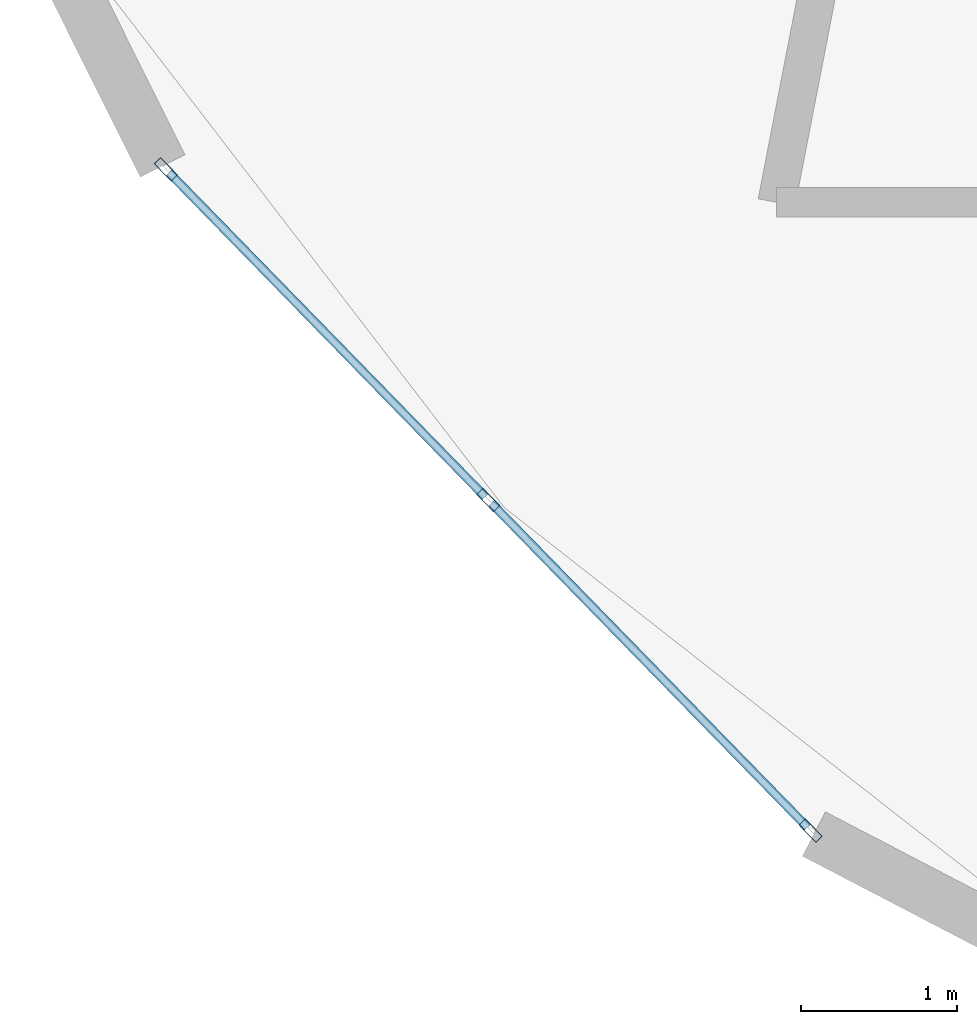
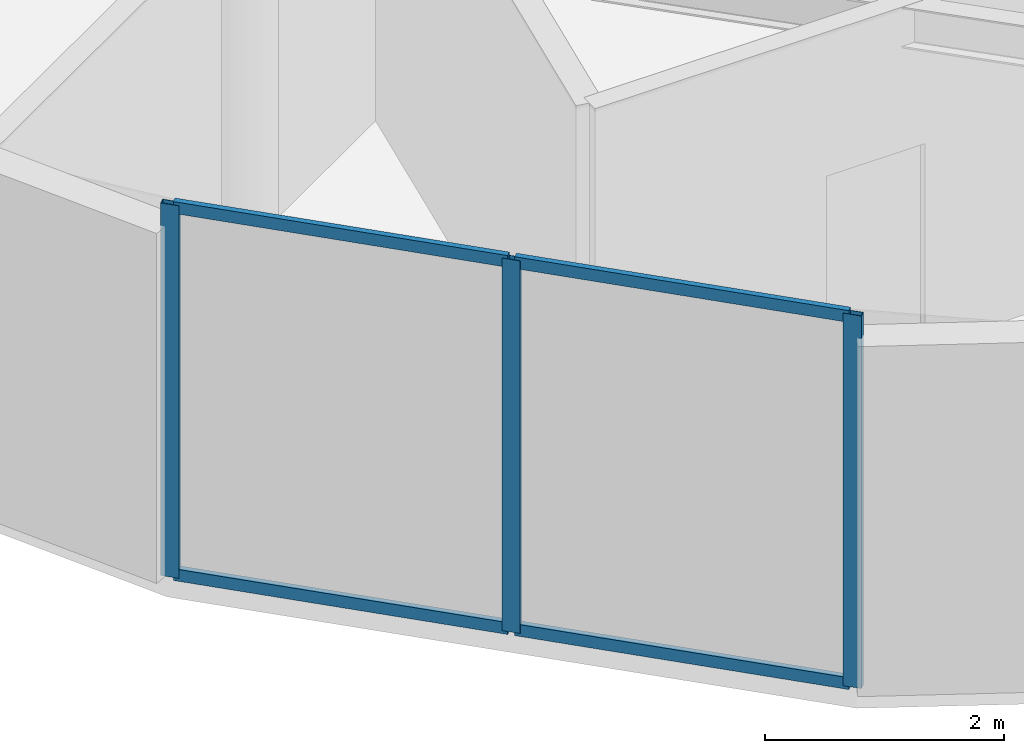
# One storey, part 2 of 22: 7 members, 1 element without a shape of its own.
"""IFC4 building model written with IfcOpenShell, lengths in metres."""

from ifc_helpers import new_model, si_unit, direction, frame, origin, origin_2d, place, context, subcontext, project, spatial, hollow_rectangle, extrude, source, transform, mapped, material, layer, layer_set, material_profile, profile_set, type_object, element, aggregate, save


model = new_model("IFC4")

# Units and contexts
model_context = context("Model", 3, precision=1e-05, world=origin(), true_north=direction((0.0, 1.0)))
body_context = subcontext(model_context, "Body", "Model", "MODEL_VIEW")
ifc_project = project(units=[si_unit("LENGTHUNIT", "METRE"), si_unit("AREAUNIT", "SQUARE_METRE"), si_unit("VOLUMEUNIT", "CUBIC_METRE"), si_unit("PLANEANGLEUNIT", "RADIAN"), si_unit("MASSUNIT", "GRAM", prefix="KILO")], contexts=[model_context])

# Site, building, storey
site_placement = place(None, origin())
site = spatial("IfcSite", under=ifc_project, at=site_placement, CompositionType="ELEMENT")
building_placement = place(site_placement, origin())
building = spatial("IfcBuilding", under=site, at=building_placement, Name="Solvirekh Grand Hotel", CompositionType="ELEMENT")
storey_placement = place(building_placement, frame((0.0, 0.0, 278.199951171875)))
storey = spatial("IfcBuildingStorey", under=building, at=storey_placement, Name="L72", CompositionType="ELEMENT", Elevation=278.199951171875)

# Curtain wall, members
ifc_material = material(Name="Anodized Bronze Aluminium 6063-T6", Category="aluminium")
ifc_layer = layer(ifc_material, 0.159912109375)
ifc_layer_set = layer_set([ifc_layer], Name="Anodized Bronze Aluminium 6063-T6")
curtain_wall_type = type_object("IfcCurtainWallType", Name="CW_Sys4_HighZoneFlushBronzeCW", PredefinedType="NOTDEFINED", material=ifc_layer_set)
curtain_wall_placement = place(storey_placement, origin())
curtain_wall = element("IfcCurtainWall", 1, at=curtain_wall_placement, inside=storey, type_object=curtain_wall_type, Name="L72 unitised bronze-glass curtain wall CW-L72-C18", PredefinedType="NOTDEFINED")
ifc_material_profile_1 = material_profile(ifc_material, hollow_rectangle(XDim=0.06005859375, YDim=0.159912109375, WallThickness=0.0048828125, at=origin_2d()), Name="ALU RHS 160X60X5")
ifc_profile_set_1 = profile_set([ifc_material_profile_1], Name="Anodized Bronze Aluminium 6063-T6")
member_type_1 = type_object("IfcMemberType", Name="CWMullion_Sys4", PredefinedType="MULLION", material=ifc_profile_set_1)
shared_shape_1 = source(origin(), body_context, "Body", "SweptSolid", [
    extrude(hollow_rectangle(XDim=0.06005859375, YDim=0.159912109375, WallThickness=0.0048828125, at=origin_2d()), origin(), (0.0, 0.0, 1.0), 3.800048828125),
])
member_1_placement = place(storey_placement, frame((-16.218017578125, -11.58837890625, 0.0), z_axis=(0.0, 0.0, 1.0), x_axis=(0.715989699627, 0.698110843655, 0.0)))
member_1 = element("IfcMember", 2, at=member_1_placement, type_object=member_type_1, Name="U04 mullion 1", PredefinedType="MULLION", context=body_context, shape_type="MappedRepresentation", body=[
    mapped(shared_shape_1, transform((0.0, 0.0, 0.0), x_axis=(1.0, 0.0, 0.0), y_axis=(0.0, 1.0, 0.0), z_axis=(0.0, 0.0, 1.0), scale=1.0)),
])
member_2_placement = place(storey_placement, frame((-14.14990234375, -13.70947265625, 0.0), z_axis=(0.0, 0.0, 1.0), x_axis=(0.715989699627, 0.698110843655, 0.0)))
member_2 = element("IfcMember", 3, at=member_2_placement, type_object=member_type_1, Name="U04 mullion 2", PredefinedType="MULLION", context=body_context, shape_type="MappedRepresentation", body=[
    mapped(shared_shape_1, transform((0.0, 0.0, 0.0), x_axis=(1.0, 0.0, 0.0), y_axis=(0.0, 1.0, 0.0), z_axis=(0.0, 0.0, 1.0), scale=1.0)),
])
member_3_placement = place(storey_placement, frame((-12.08203125, -15.83056640625, 0.0), z_axis=(0.0, 0.0, 1.0), x_axis=(0.715989699627, 0.698110843655, 0.0)))
member_3 = element("IfcMember", 4, at=member_3_placement, type_object=member_type_1, Name="U04 mullion 3", PredefinedType="MULLION", context=body_context, shape_type="MappedRepresentation", body=[
    mapped(shared_shape_1, transform((0.0, 0.0, 0.0), x_axis=(1.0, 0.0, 0.0), y_axis=(0.0, 1.0, 0.0), z_axis=(0.0, 0.0, 1.0), scale=1.0)),
])
ifc_material_profile_2 = material_profile(ifc_material, hollow_rectangle(XDim=0.054931640625, YDim=0.1201171875, WallThickness=0.00390625, at=origin_2d()), Name="ALU RHS 120X55X4")
ifc_profile_set_2 = profile_set([ifc_material_profile_2], Name="Anodized Bronze Aluminium 6063-T6")
member_type_2 = type_object("IfcMemberType", Name="CWTransom_Sys4", PredefinedType="USERDEFINED", material=ifc_profile_set_2)
shared_shape_2 = source(origin(), body_context, "Body", "SweptSolid", [
    extrude(hollow_rectangle(XDim=0.054931640625, YDim=0.1201171875, WallThickness=0.00390625, at=origin_2d()), origin(), (0.0, 0.0, 1.0), 2.90234375),
])
member_4_placement = place(storey_placement, frame((-16.197021484375, -11.60986328125, 0.027587890625), z_axis=(0.698091511403, -0.716008548627, 0.0), x_axis=(0.716008548627, 0.698091511403, 0.0)))
member_4 = element("IfcMember", 5, at=member_4_placement, type_object=member_type_2, Name="U04 transom 1.1", ObjectType="TRANSOM", PredefinedType="USERDEFINED", context=body_context, shape_type="MappedRepresentation", body=[
    mapped(shared_shape_2, transform((0.0, 0.0, 0.0), x_axis=(1.0, 0.0, 0.0), y_axis=(0.0, 1.0, 0.0), z_axis=(0.0, 0.0, 1.0), scale=1.0)),
])
member_5_placement = place(storey_placement, frame((-16.197021484375, -11.60986328125, 3.7724609375), z_axis=(0.698091511403, -0.716008548627, 0.0), x_axis=(0.716008548627, 0.698091511403, 0.0)))
member_5 = element("IfcMember", 6, at=member_5_placement, type_object=member_type_2, Name="U04 transom 1.2", ObjectType="TRANSOM", PredefinedType="USERDEFINED", context=body_context, shape_type="MappedRepresentation", body=[
    mapped(shared_shape_2, transform((0.0, 0.0, 0.0), x_axis=(1.0, 0.0, 0.0), y_axis=(0.0, 1.0, 0.0), z_axis=(0.0, 0.0, 1.0), scale=1.0)),
])
shared_shape_3 = source(origin(), body_context, "Body", "SweptSolid", [
    extrude(hollow_rectangle(XDim=0.054931640625, YDim=0.1201171875, WallThickness=0.00390625, at=origin_2d()), origin(), (0.0, 0.0, 1.0), 2.902587890625),
])
member_6_placement = place(storey_placement, frame((-14.129150390625, -13.73095703125, 0.027587890625), z_axis=(0.698134631999, -0.715966504527, 0.0), x_axis=(0.715966504527, 0.698134631999, 0.0)))
member_6 = element("IfcMember", 7, at=member_6_placement, type_object=member_type_2, Name="U04 transom 2.1", ObjectType="TRANSOM", PredefinedType="USERDEFINED", context=body_context, shape_type="MappedRepresentation", body=[
    mapped(shared_shape_3, transform((0.0, 0.0, 0.0), x_axis=(1.0, 0.0, 0.0), y_axis=(0.0, 1.0, 0.0), z_axis=(0.0, 0.0, 1.0), scale=1.0)),
])
member_7_placement = place(storey_placement, frame((-14.129150390625, -13.73095703125, 3.7724609375), z_axis=(0.698134631999, -0.715966504527, 0.0), x_axis=(0.715966504527, 0.698134631999, 0.0)))
member_7 = element("IfcMember", 8, at=member_7_placement, type_object=member_type_2, Name="U04 transom 2.2", ObjectType="TRANSOM", PredefinedType="USERDEFINED", context=body_context, shape_type="MappedRepresentation", body=[
    mapped(shared_shape_3, transform((0.0, 0.0, 0.0), x_axis=(1.0, 0.0, 0.0), y_axis=(0.0, 1.0, 0.0), z_axis=(0.0, 0.0, 1.0), scale=1.0)),
])
aggregate(curtain_wall, [member_1, member_2, member_3, member_4, member_5, member_6, member_7])

save(model, "model.ifc")
